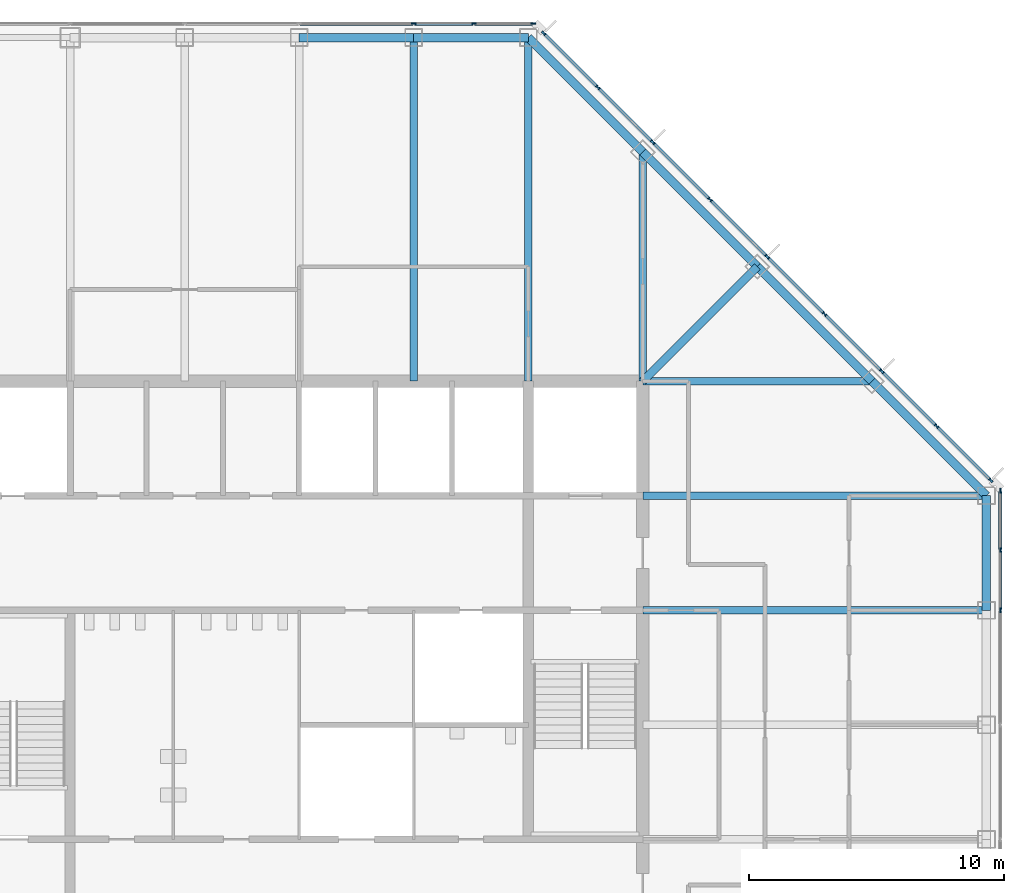
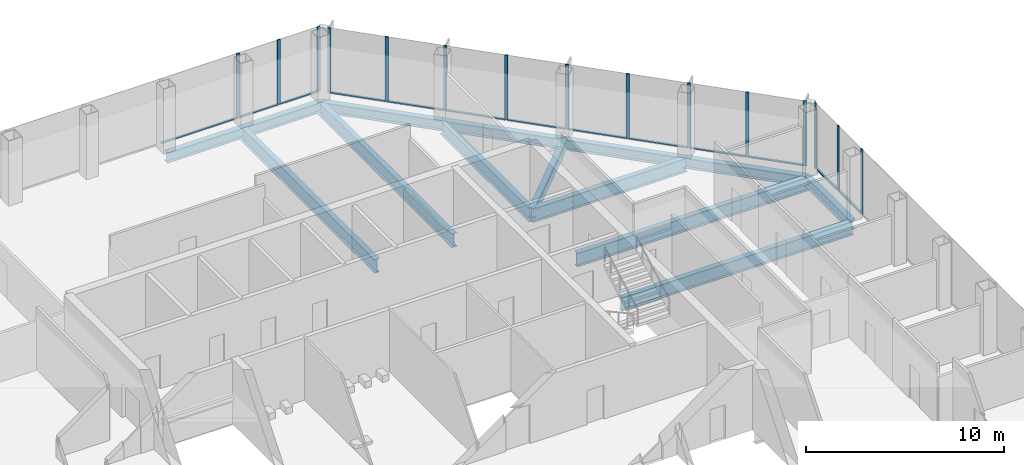
# One storey, part 6 of 13: 28 members, 14 beams, 3 elements without a shape of their own.
"""IFC4 building model written with IfcOpenShell, lengths in metres."""

from ifc_helpers import new_model, si_unit, direction, frame, origin, origin_2d, place, context, subcontext, project, spatial, rectangle, i_section, extrude, material, material_profile, profile_set, type_object, element, aggregate, save


model = new_model("IFC4")

# Units and contexts
model_context = context("Model", 3, precision=1e-05, world=origin(), true_north=direction((0.0, 1.0)))
body_context = subcontext(model_context, "Body", "Model", "MODEL_VIEW")
ifc_project = project(units=[si_unit("LENGTHUNIT", "METRE"), si_unit("AREAUNIT", "SQUARE_METRE"), si_unit("VOLUMEUNIT", "CUBIC_METRE"), si_unit("PLANEANGLEUNIT", "RADIAN"), si_unit("MASSUNIT", "GRAM", prefix="KILO")], contexts=[model_context])

# Site, building, storey
site_placement = place(None, origin())
site = spatial("IfcSite", under=ifc_project, at=site_placement, CompositionType="ELEMENT")
building_placement = place(site_placement, origin())
building = spatial("IfcBuilding", under=site, at=building_placement, Name="Corais Broadcast Tower", CompositionType="ELEMENT")
storey_placement = place(building_placement, frame((0.0, 0.0, 175.60009765625)))
storey = spatial("IfcBuildingStorey", under=building, at=storey_placement, Name="L40", CompositionType="ELEMENT", Elevation=175.60009765625)

# Beams
ifc_material_1 = material(Name="Steel ASTM A572 Grade 50", Category="steel")
ifc_material_profile_1 = material_profile(ifc_material_1, i_section(OverallWidth=0.323974609375, OverallDepth=0.611083984375, WebThickness=0.0126953125, FlangeThickness=0.01904296875, at=origin_2d()), Name="W610x155")
ifc_profile_set_1 = profile_set([ifc_material_profile_1], Name="Steel ASTM A572 Grade 50")
beam_type_1 = type_object("IfcBeamType", Name="Corner diagonal W610x155", PredefinedType="BEAM", material=ifc_profile_set_1)
beam_1_placement = place(storey_placement, frame((45.0, 45.0, -0.465576171875), z_axis=(-0.707106781187, -0.707106781187, 0.0), x_axis=(0.707106781187, -0.707106781187, 0.0)))
element("IfcBeam", 1, at=beam_1_placement, inside=storey, type_object=beam_type_1, Name="B6 L/13 to K/12", PredefinedType="BEAM", context=body_context, shape_type="SweptSolid", body=[
    extrude(i_section(OverallWidth=0.323974609375, OverallDepth=0.611083984375, WebThickness=0.0126953125, FlangeThickness=0.01904296875, at=origin_2d()), origin(), (0.0, 0.0, 1.0), 6.364013671875),
])
ifc_material_2 = material(Name="Steel ASTM A572 Grade 50", Category="steel")
ifc_material_profile_2 = material_profile(ifc_material_2, i_section(OverallWidth=0.2939453125, OverallDepth=0.85107421875, WebThickness=0.01611328125, FlangeThickness=0.02685546875, at=origin_2d()), Name="W840x226")
ifc_profile_set_2 = profile_set([ifc_material_profile_2], Name="Steel ASTM A572 Grade 50")
beam_type_2 = type_object("IfcBeamType", Name="Floor beam W840x226", PredefinedType="BEAM", material=ifc_profile_set_2)
for number, where, z_axis, x_axis, name in (
    (2, (31.5, 54.0, -0.585693359375), (0.0, -1.0, 0.0), (1.0, 0.0, 0.0), "B1 N/10 to K/10"),
    (3, (36.0, 54.0, -0.585693359375), (0.0, -1.0, 0.0), (1.0, 0.0, 0.0), "B1 N/11 to K/11"),
):
    element("IfcBeam", number, at=place(storey_placement, frame(where, z_axis=z_axis, x_axis=x_axis)), inside=storey, type_object=beam_type_2, Name=name, PredefinedType="BEAM", context=body_context, shape_type="SweptSolid", body=[
        extrude(i_section(OverallWidth=0.2939453125, OverallDepth=0.85107421875, WebThickness=0.01611328125, FlangeThickness=0.02685546875, at=origin_2d()), origin(), (0.0, 0.0, 1.0), 13.5),
    ])
for number, where, z_axis, x_axis, name in (
    (4, (40.5, 49.5, -0.585693359375), (0.0, -1.0, 0.0), (1.0, 0.0, 0.0), "B1 M/12 to K/12"),
    (5, (49.5, 40.5, -0.585693359375), (-1.0, 0.0, 0.0), (0.0, -1.0, 0.0), "B1 K/14 to K/12"),
):
    element("IfcBeam", number, at=place(storey_placement, frame(where, z_axis=z_axis, x_axis=x_axis)), inside=storey, type_object=beam_type_2, Name=name, PredefinedType="BEAM", context=body_context, shape_type="SweptSolid", body=[
        extrude(i_section(OverallWidth=0.2939453125, OverallDepth=0.85107421875, WebThickness=0.01611328125, FlangeThickness=0.02685546875, at=origin_2d()), origin(), (0.0, 0.0, 1.0), 9.0),
    ])
for number, where, z_axis, x_axis, name in (
    (6, (54.0, 31.5, -0.585693359375), (-1.0, 0.0, 0.0), (0.0, -1.0, 0.0), "B1 H/15 to H/12"),
    (7, (54.0, 36.0, -0.585693359375), (-1.0, 0.0, 0.0), (0.0, -1.0, 0.0), "B1 J/15 to J/12"),
):
    element("IfcBeam", number, at=place(storey_placement, frame(where, z_axis=z_axis, x_axis=x_axis)), inside=storey, type_object=beam_type_2, Name=name, PredefinedType="BEAM", context=body_context, shape_type="SweptSolid", body=[
        extrude(i_section(OverallWidth=0.2939453125, OverallDepth=0.85107421875, WebThickness=0.01611328125, FlangeThickness=0.02685546875, at=origin_2d()), origin(), (0.0, 0.0, 1.0), 13.5),
    ])

# Curtain wall, members
ifc_material_3 = material(Name="Aluminium and glass", Category="aluminium")
curtain_wall_type = type_object("IfcCurtainWallType", Name="Unitised fritted curtain wall CW2", PredefinedType="NOTDEFINED", material=ifc_material_3)
curtain_wall_1_placement = place(storey_placement, origin())
curtain_wall_1 = element("IfcCurtainWall", 8, at=curtain_wall_1_placement, inside=storey, type_object=curtain_wall_type, Name="CW2 curtain wall L40 4", PredefinedType="NOTDEFINED")
ifc_material_4 = material(Name="Aluminium 6063-T6", Category="aluminium")
ifc_material_profile_3 = material_profile(ifc_material_4, rectangle(XDim=0.06494140625, YDim=0.179931640625, at=origin_2d()), Name="Mullion CW2 65x180")
ifc_profile_set_3 = profile_set([ifc_material_profile_3], Name="Aluminium 6063-T6")
member_type_1 = type_object("IfcMemberType", Name="Mullion CW2 65x180", PredefinedType="MULLION", material=ifc_profile_set_3)
member_1_placement = place(storey_placement, frame((31.5, 54.550048828125, 0.0), z_axis=(0.0, 0.0, 1.0), x_axis=(0.0, 1.0, 0.0)))
member_1 = element("IfcMember", 9, at=member_1_placement, type_object=member_type_1, Name="CW2 mullion 7", PredefinedType="MULLION", context=body_context, shape_type="SweptSolid", body=[
    extrude(rectangle(XDim=0.06494140625, YDim=0.179931640625, at=origin_2d()), origin(), (0.0, 0.0, 1.0), 4.0),
])
member_2_placement = place(storey_placement, frame((33.864013671875, 54.550048828125, 0.0), z_axis=(0.0, 0.0, 1.0), x_axis=(0.0, 1.0, 0.0)))
member_2 = element("IfcMember", 10, at=member_2_placement, type_object=member_type_1, Name="CW2 mullion 8", PredefinedType="MULLION", context=body_context, shape_type="SweptSolid", body=[
    extrude(rectangle(XDim=0.06494140625, YDim=0.179931640625, at=origin_2d()), origin(), (0.0, 0.0, 1.0), 4.0),
])
member_3_placement = place(storey_placement, frame((36.1953125, 54.550048828125, 0.0), z_axis=(0.0, 0.0, 1.0), x_axis=(0.0, 1.0, 0.0)))
member_3 = element("IfcMember", 11, at=member_3_placement, type_object=member_type_1, Name="CW2 mullion 9", PredefinedType="MULLION", context=body_context, shape_type="SweptSolid", body=[
    extrude(rectangle(XDim=0.06494140625, YDim=0.179931640625, at=origin_2d()), origin(), (0.0, 0.0, 1.0), 4.0),
])

curtain_wall_2_placement = place(storey_placement, origin())
curtain_wall_2 = element("IfcCurtainWall", 12, at=curtain_wall_2_placement, inside=storey, type_object=curtain_wall_type, Name="CW2 curtain wall L40 5", PredefinedType="NOTDEFINED")
member_4_placement = place(storey_placement, frame((36.6044921875, 54.17333984375, 0.0), z_axis=(0.0, 0.0, 1.0), x_axis=(0.707106781187, 0.707106781187, 0.0)))
member_4 = element("IfcMember", 13, at=member_4_placement, type_object=member_type_1, Name="CW2 mullion 1", PredefinedType="MULLION", context=body_context, shape_type="SweptSolid", body=[
    extrude(rectangle(XDim=0.06494140625, YDim=0.179931640625, at=origin_2d()), origin(), (0.0, 0.0, 1.0), 4.0),
])
member_5_placement = place(storey_placement, frame((38.735107421875, 52.042724609375, 0.0), z_axis=(0.0, 0.0, 1.0), x_axis=(0.707106781187, 0.707106781187, 0.0)))
member_5 = element("IfcMember", 14, at=member_5_placement, type_object=member_type_1, Name="CW2 mullion 2", PredefinedType="MULLION", context=body_context, shape_type="SweptSolid", body=[
    extrude(rectangle(XDim=0.06494140625, YDim=0.179931640625, at=origin_2d()), origin(), (0.0, 0.0, 1.0), 4.0),
])
member_6_placement = place(storey_placement, frame((40.888916015625, 49.888916015625, 0.0), z_axis=(0.0, 0.0, 1.0), x_axis=(0.707106781187, 0.707106781187, 0.0)))
member_6 = element("IfcMember", 15, at=member_6_placement, type_object=member_type_1, Name="CW2 mullion 3", PredefinedType="MULLION", context=body_context, shape_type="SweptSolid", body=[
    extrude(rectangle(XDim=0.06494140625, YDim=0.179931640625, at=origin_2d()), origin(), (0.0, 0.0, 1.0), 4.0),
])
member_7_placement = place(storey_placement, frame((43.138916015625, 47.638916015625, 0.0), z_axis=(0.0, 0.0, 1.0), x_axis=(0.707106781187, 0.707106781187, 0.0)))
member_7 = element("IfcMember", 16, at=member_7_placement, type_object=member_type_1, Name="CW2 mullion 4", PredefinedType="MULLION", context=body_context, shape_type="SweptSolid", body=[
    extrude(rectangle(XDim=0.06494140625, YDim=0.179931640625, at=origin_2d()), origin(), (0.0, 0.0, 1.0), 4.0),
])
member_8_placement = place(storey_placement, frame((45.388916015625, 45.388916015625, 0.0), z_axis=(0.0, 0.0, 1.0), x_axis=(0.707106781187, 0.707106781187, 0.0)))
member_8 = element("IfcMember", 17, at=member_8_placement, type_object=member_type_1, Name="CW2 mullion 5", PredefinedType="MULLION", context=body_context, shape_type="SweptSolid", body=[
    extrude(rectangle(XDim=0.06494140625, YDim=0.179931640625, at=origin_2d()), origin(), (0.0, 0.0, 1.0), 4.0),
])
member_9_placement = place(storey_placement, frame((47.638916015625, 43.138916015625, 0.0), z_axis=(0.0, 0.0, 1.0), x_axis=(0.707106781187, 0.707106781187, 0.0)))
member_9 = element("IfcMember", 18, at=member_9_placement, type_object=member_type_1, Name="CW2 mullion 6", PredefinedType="MULLION", context=body_context, shape_type="SweptSolid", body=[
    extrude(rectangle(XDim=0.06494140625, YDim=0.179931640625, at=origin_2d()), origin(), (0.0, 0.0, 1.0), 4.0),
])
member_10_placement = place(storey_placement, frame((49.888916015625, 40.888916015625, 0.0), z_axis=(0.0, 0.0, 1.0), x_axis=(0.707106781187, 0.707106781187, 0.0)))
member_10 = element("IfcMember", 19, at=member_10_placement, type_object=member_type_1, Name="CW2 mullion 7", PredefinedType="MULLION", context=body_context, shape_type="SweptSolid", body=[
    extrude(rectangle(XDim=0.06494140625, YDim=0.179931640625, at=origin_2d()), origin(), (0.0, 0.0, 1.0), 4.0),
])
member_11_placement = place(storey_placement, frame((52.042724609375, 38.735107421875, 0.0), z_axis=(0.0, 0.0, 1.0), x_axis=(0.707106781187, 0.707106781187, 0.0)))
member_11 = element("IfcMember", 20, at=member_11_placement, type_object=member_type_1, Name="CW2 mullion 8", PredefinedType="MULLION", context=body_context, shape_type="SweptSolid", body=[
    extrude(rectangle(XDim=0.06494140625, YDim=0.179931640625, at=origin_2d()), origin(), (0.0, 0.0, 1.0), 4.0),
])
member_12_placement = place(storey_placement, frame((54.17333984375, 36.6044921875, 0.0), z_axis=(0.0, 0.0, 1.0), x_axis=(0.707106781187, 0.707106781187, 0.0)))
member_12 = element("IfcMember", 21, at=member_12_placement, type_object=member_type_1, Name="CW2 mullion 9", PredefinedType="MULLION", context=body_context, shape_type="SweptSolid", body=[
    extrude(rectangle(XDim=0.06494140625, YDim=0.179931640625, at=origin_2d()), origin(), (0.0, 0.0, 1.0), 4.0),
])

curtain_wall_3_placement = place(storey_placement, origin())
curtain_wall_3 = element("IfcCurtainWall", 22, at=curtain_wall_3_placement, inside=storey, type_object=curtain_wall_type, Name="CW2 curtain wall L40 6", PredefinedType="NOTDEFINED")
member_13_placement = place(storey_placement, frame((54.550048828125, 36.1953125, 0.0), z_axis=(0.0, 0.0, 1.0), x_axis=(1.0, 0.0, 0.0)))
member_13 = element("IfcMember", 23, at=member_13_placement, type_object=member_type_1, Name="CW2 mullion 1", PredefinedType="MULLION", context=body_context, shape_type="SweptSolid", body=[
    extrude(rectangle(XDim=0.06494140625, YDim=0.179931640625, at=origin_2d()), origin(), (0.0, 0.0, 1.0), 4.0),
])
member_14_placement = place(storey_placement, frame((54.550048828125, 33.864013671875, 0.0), z_axis=(0.0, 0.0, 1.0), x_axis=(1.0, 0.0, 0.0)))
member_14 = element("IfcMember", 24, at=member_14_placement, type_object=member_type_1, Name="CW2 mullion 2", PredefinedType="MULLION", context=body_context, shape_type="SweptSolid", body=[
    extrude(rectangle(XDim=0.06494140625, YDim=0.179931640625, at=origin_2d()), origin(), (0.0, 0.0, 1.0), 4.0),
])
member_15_placement = place(storey_placement, frame((54.550048828125, 31.5, 0.0), z_axis=(0.0, 0.0, 1.0), x_axis=(1.0, 0.0, 0.0)))
member_15 = element("IfcMember", 25, at=member_15_placement, type_object=member_type_1, Name="CW2 mullion 3", PredefinedType="MULLION", context=body_context, shape_type="SweptSolid", body=[
    extrude(rectangle(XDim=0.06494140625, YDim=0.179931640625, at=origin_2d()), origin(), (0.0, 0.0, 1.0), 4.0),
])

# Beams
ifc_material_5 = material(Name="Steel ASTM A572 Grade 50", Category="steel")
ifc_material_profile_4 = material_profile(ifc_material_5, i_section(OverallWidth=0.3291015625, OverallDepth=0.635009765625, WebThickness=0.017822265625, FlangeThickness=0.031005859375, at=origin_2d()), Name="W610x241")
ifc_profile_set_4 = profile_set([ifc_material_profile_4], Name="Steel ASTM A572 Grade 50")
beam_type_3 = type_object("IfcBeamType", Name="Spandrel W610x241", PredefinedType="BEAM", material=ifc_profile_set_4)
for number, where, z_axis, x_axis, name in (
    (26, (31.5, 54.0, -0.4775390625), (-1.0, 0.0, 0.0), (0.0, -1.0, 0.0), "SB1 N/10 to N/9"),
    (27, (36.0, 54.0, -0.4775390625), (-1.0, 0.0, 0.0), (0.0, -1.0, 0.0), "SB1 N/11 to N/10"),
):
    element("IfcBeam", number, at=place(storey_placement, frame(where, z_axis=z_axis, x_axis=x_axis)), inside=storey, type_object=beam_type_3, Name=name, PredefinedType="BEAM", context=body_context, shape_type="SweptSolid", body=[
        extrude(i_section(OverallWidth=0.3291015625, OverallDepth=0.635009765625, WebThickness=0.017822265625, FlangeThickness=0.031005859375, at=origin_2d()), origin(), (0.0, 0.0, 1.0), 4.5),
    ])
for number, where, z_axis, x_axis, name in (
    (28, (40.5, 49.5, -0.4775390625), (-0.707106781187, 0.707106781187, 0.0), (-0.707106781187, -0.707106781187, 0.0), "SB1 M/12 to N/11"),
    (29, (45.0, 45.0, -0.4775390625), (-0.707106781187, 0.707106781187, 0.0), (-0.707106781187, -0.707106781187, 0.0), "SB1 L/13 to M/12"),
    (30, (49.5, 40.5, -0.4775390625), (-0.707106781187, 0.707106781187, 0.0), (-0.707106781187, -0.707106781187, 0.0), "SB1 K/14 to L/13"),
):
    element("IfcBeam", number, at=place(storey_placement, frame(where, z_axis=z_axis, x_axis=x_axis)), inside=storey, type_object=beam_type_3, Name=name, PredefinedType="BEAM", context=body_context, shape_type="SweptSolid", body=[
        extrude(i_section(OverallWidth=0.3291015625, OverallDepth=0.635009765625, WebThickness=0.017822265625, FlangeThickness=0.031005859375, at=origin_2d()), origin(), (0.0, 0.0, 1.0), 6.364013671875),
    ])
beam_2_placement = place(storey_placement, frame((54.0, 31.5, -0.4775390625), z_axis=(0.0, 1.0, 0.0), x_axis=(-1.0, 0.0, 0.0)))
element("IfcBeam", 31, at=beam_2_placement, inside=storey, type_object=beam_type_3, Name="SB1 H/15 to J/15", PredefinedType="BEAM", context=body_context, shape_type="SweptSolid", body=[
    extrude(i_section(OverallWidth=0.3291015625, OverallDepth=0.635009765625, WebThickness=0.017822265625, FlangeThickness=0.031005859375, at=origin_2d()), origin(), (0.0, 0.0, 1.0), 4.5),
])
beam_3_placement = place(storey_placement, frame((54.0, 36.0, -0.4775390625), z_axis=(-0.707106781187, 0.707106781187, 0.0), x_axis=(-0.707106781187, -0.707106781187, 0.0)))
element("IfcBeam", 32, at=beam_3_placement, inside=storey, type_object=beam_type_3, Name="SB1 J/15 to K/14", PredefinedType="BEAM", context=body_context, shape_type="SweptSolid", body=[
    extrude(i_section(OverallWidth=0.3291015625, OverallDepth=0.635009765625, WebThickness=0.017822265625, FlangeThickness=0.031005859375, at=origin_2d()), origin(), (0.0, 0.0, 1.0), 6.364013671875),
])

# Member
ifc_material_6 = material(Name="Aluminium 6063-T6", Category="aluminium")
ifc_material_profile_5 = material_profile(ifc_material_6, rectangle(XDim=0.1298828125, YDim=0.06494140625, at=origin_2d()), Name="Transom CW2 65x130")
ifc_profile_set_5 = profile_set([ifc_material_profile_5], Name="Aluminium 6063-T6")
member_type_2 = type_object("IfcMemberType", Name="Transom CW2 65x130", PredefinedType="USERDEFINED", material=ifc_profile_set_5)
member_16_placement = place(storey_placement, frame((27.032470703125, 54.550048828125, 0.032470703125), z_axis=(1.0, 0.0, 0.0), x_axis=(0.0, 1.0, 0.0)))
member_16 = element("IfcMember", 33, at=member_16_placement, type_object=member_type_2, Name="CW2 transom 6.1", ObjectType="TRANSOM", PredefinedType="USERDEFINED", context=body_context, shape_type="SweptSolid", body=[
    extrude(rectangle(XDim=0.1298828125, YDim=0.06494140625, at=origin_2d()), origin(), (0.0, 0.0, 1.0), 4.43505859375),
])

member_17_placement = place(storey_placement, frame((31.532470703125, 54.550048828125, 0.032470703125), z_axis=(1.0, 0.0, 0.0), x_axis=(0.0, 1.0, 0.0)))
member_17 = element("IfcMember", 34, at=member_17_placement, type_object=member_type_2, Name="CW2 transom 7.1", ObjectType="TRANSOM", PredefinedType="USERDEFINED", context=body_context, shape_type="SweptSolid", body=[
    extrude(rectangle(XDim=0.1298828125, YDim=0.06494140625, at=origin_2d()), origin(), (0.0, 0.0, 1.0), 2.298828125),
])

member_18_placement = place(storey_placement, frame((33.896484375, 54.550048828125, 0.032470703125), z_axis=(1.0, 0.0, 0.0), x_axis=(0.0, 1.0, 0.0)))
member_18 = element("IfcMember", 35, at=member_18_placement, type_object=member_type_2, Name="CW2 transom 8.1", ObjectType="TRANSOM", PredefinedType="USERDEFINED", context=body_context, shape_type="SweptSolid", body=[
    extrude(rectangle(XDim=0.1298828125, YDim=0.06494140625, at=origin_2d()), origin(), (0.0, 0.0, 1.0), 2.266357421875),
])

aggregate(curtain_wall_1, [member_1, member_2, member_3, member_16, member_17, member_18])

member_19_placement = place(storey_placement, frame((36.62744140625, 54.150390625, 0.032470703125), z_axis=(0.707106781187, -0.707106781187, 0.0), x_axis=(0.707106781187, 0.707106781187, 0.0)))
member_19 = element("IfcMember", 36, at=member_19_placement, type_object=member_type_2, Name="CW2 transom 1.1", ObjectType="TRANSOM", PredefinedType="USERDEFINED", context=body_context, shape_type="SweptSolid", body=[
    extrude(rectangle(XDim=0.1298828125, YDim=0.06494140625, at=origin_2d()), origin(), (0.0, 0.0, 1.0), 2.9482421875),
])

member_20_placement = place(storey_placement, frame((38.758056640625, 52.019775390625, 0.032470703125), z_axis=(0.707106781187, -0.707106781187, 0.0), x_axis=(0.707106781187, 0.707106781187, 0.0)))
member_20 = element("IfcMember", 37, at=member_20_placement, type_object=member_type_2, Name="CW2 transom 2.1", ObjectType="TRANSOM", PredefinedType="USERDEFINED", context=body_context, shape_type="SweptSolid", body=[
    extrude(rectangle(XDim=0.1298828125, YDim=0.06494140625, at=origin_2d()), origin(), (0.0, 0.0, 1.0), 2.98095703125),
])

member_21_placement = place(storey_placement, frame((40.911865234375, 49.865966796875, 0.032470703125), z_axis=(0.707106781187, -0.707106781187, 0.0), x_axis=(0.707106781187, 0.707106781187, 0.0)))
member_21 = element("IfcMember", 38, at=member_21_placement, type_object=member_type_2, Name="CW2 transom 3.1", ObjectType="TRANSOM", PredefinedType="USERDEFINED", context=body_context, shape_type="SweptSolid", body=[
    extrude(rectangle(XDim=0.1298828125, YDim=0.06494140625, at=origin_2d()), origin(), (0.0, 0.0, 1.0), 3.1171875),
])

member_22_placement = place(storey_placement, frame((43.161865234375, 47.615966796875, 0.032470703125), z_axis=(0.707106781187, -0.707106781187, 0.0), x_axis=(0.707106781187, 0.707106781187, 0.0)))
member_22 = element("IfcMember", 39, at=member_22_placement, type_object=member_type_2, Name="CW2 transom 4.1", ObjectType="TRANSOM", PredefinedType="USERDEFINED", context=body_context, shape_type="SweptSolid", body=[
    extrude(rectangle(XDim=0.1298828125, YDim=0.06494140625, at=origin_2d()), origin(), (0.0, 0.0, 1.0), 3.1171875),
])

member_23_placement = place(storey_placement, frame((45.411865234375, 45.365966796875, 0.032470703125), z_axis=(0.707106781187, -0.707106781187, 0.0), x_axis=(0.707106781187, 0.707106781187, 0.0)))
member_23 = element("IfcMember", 40, at=member_23_placement, type_object=member_type_2, Name="CW2 transom 5.1", ObjectType="TRANSOM", PredefinedType="USERDEFINED", context=body_context, shape_type="SweptSolid", body=[
    extrude(rectangle(XDim=0.1298828125, YDim=0.06494140625, at=origin_2d()), origin(), (0.0, 0.0, 1.0), 3.1171875),
])

member_24_placement = place(storey_placement, frame((47.661865234375, 43.115966796875, 0.032470703125), z_axis=(0.707106781187, -0.707106781187, 0.0), x_axis=(0.707106781187, 0.707106781187, 0.0)))
member_24 = element("IfcMember", 41, at=member_24_placement, type_object=member_type_2, Name="CW2 transom 6.1", ObjectType="TRANSOM", PredefinedType="USERDEFINED", context=body_context, shape_type="SweptSolid", body=[
    extrude(rectangle(XDim=0.1298828125, YDim=0.06494140625, at=origin_2d()), origin(), (0.0, 0.0, 1.0), 3.1171875),
])

member_25_placement = place(storey_placement, frame((49.911865234375, 40.865966796875, 0.032470703125), z_axis=(0.707065828661, -0.70714773134, 0.0), x_axis=(0.70714773134, 0.707065828661, 0.0)))
member_25 = element("IfcMember", 42, at=member_25_placement, type_object=member_type_2, Name="CW2 transom 7.1", ObjectType="TRANSOM", PredefinedType="USERDEFINED", context=body_context, shape_type="SweptSolid", body=[
    extrude(rectangle(XDim=0.1298828125, YDim=0.06494140625, at=origin_2d()), origin(), (0.0, 0.0, 1.0), 2.98095703125),
])

member_26_placement = place(storey_placement, frame((52.065673828125, 38.712158203125, 0.032470703125), z_axis=(0.707106781187, -0.707106781187, 0.0), x_axis=(0.707106781187, 0.707106781187, 0.0)))
member_26 = element("IfcMember", 43, at=member_26_placement, type_object=member_type_2, Name="CW2 transom 8.1", ObjectType="TRANSOM", PredefinedType="USERDEFINED", context=body_context, shape_type="SweptSolid", body=[
    extrude(rectangle(XDim=0.1298828125, YDim=0.06494140625, at=origin_2d()), origin(), (0.0, 0.0, 1.0), 2.9482421875),
])

aggregate(curtain_wall_2, [member_4, member_5, member_6, member_7, member_8, member_9, member_10, member_11, member_12, member_19, member_20, member_21, member_22, member_23, member_24, member_25, member_26])

member_27_placement = place(storey_placement, frame((54.550048828125, 36.162841796875, 0.032470703125), z_axis=(0.0, -1.0, 0.0), x_axis=(1.0, 0.0, 0.0)))
member_27 = element("IfcMember", 44, at=member_27_placement, type_object=member_type_2, Name="CW2 transom 1.1", ObjectType="TRANSOM", PredefinedType="USERDEFINED", context=body_context, shape_type="SweptSolid", body=[
    extrude(rectangle(XDim=0.1298828125, YDim=0.06494140625, at=origin_2d()), origin(), (0.0, 0.0, 1.0), 2.266357421875),
])

member_28_placement = place(storey_placement, frame((54.550048828125, 33.831298828125, 0.032470703125), z_axis=(0.0, -1.0, 0.0), x_axis=(1.0, 0.0, 0.0)))
member_28 = element("IfcMember", 45, at=member_28_placement, type_object=member_type_2, Name="CW2 transom 2.1", ObjectType="TRANSOM", PredefinedType="USERDEFINED", context=body_context, shape_type="SweptSolid", body=[
    extrude(rectangle(XDim=0.1298828125, YDim=0.06494140625, at=origin_2d()), origin(), (0.0, 0.0, 1.0), 2.298828125),
])

aggregate(curtain_wall_3, [member_13, member_14, member_15, member_27, member_28])

save(model, "model.ifc")
